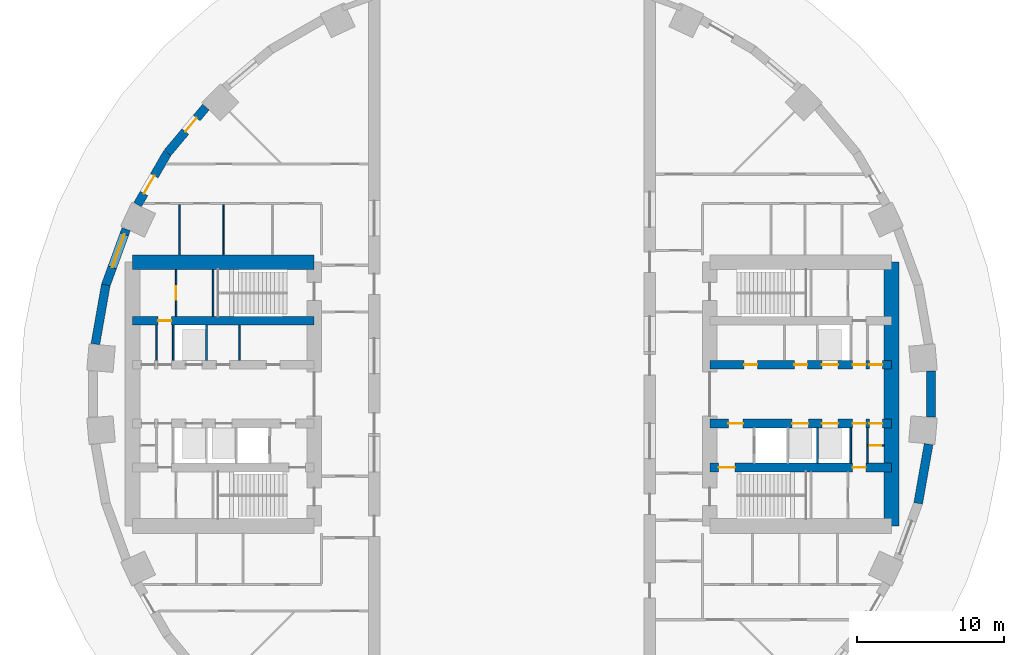
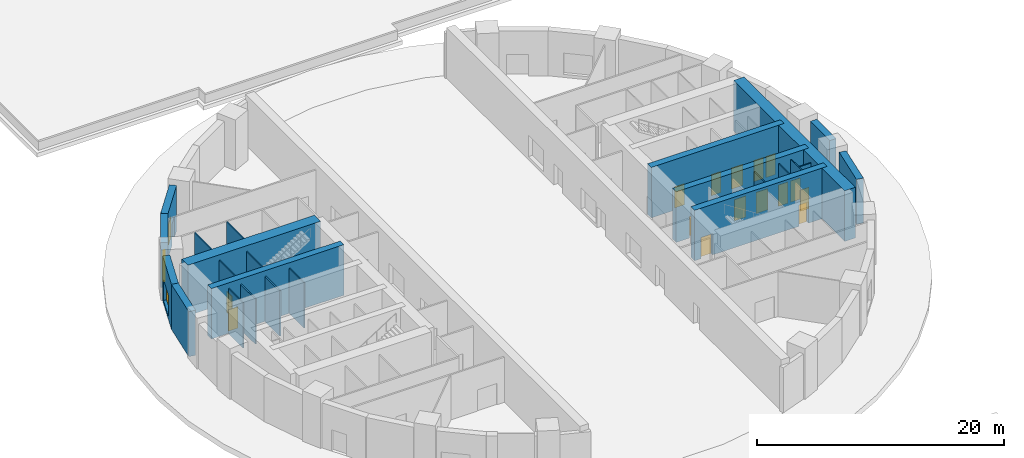
# One storey, part 5 of 10: 24 walls, 17 doors, 1 window, 18 openings.
"""IFC4 building model written with IfcOpenShell, lengths in metres."""

from ifc_helpers import new_model, si_unit, direction, frame, frame_2d, origin, place, context, subcontext, project, spatial, rectangle, extrude, material, layer, layer_set, type_object, element, fill, save


model = new_model("IFC4")

# Units and contexts
model_context = context("Model", 3, precision=1e-05, world=origin(), true_north=direction((0.0, 1.0)))
body_context = subcontext(model_context, "Body", "Model", "MODEL_VIEW")
ifc_project = project(units=[si_unit("LENGTHUNIT", "METRE"), si_unit("AREAUNIT", "SQUARE_METRE"), si_unit("VOLUMEUNIT", "CUBIC_METRE"), si_unit("PLANEANGLEUNIT", "RADIAN"), si_unit("MASSUNIT", "GRAM", prefix="KILO")], contexts=[model_context])

# Site, building, storey
site_placement = place(None, origin())
site = spatial("IfcSite", under=ifc_project, at=site_placement, CompositionType="ELEMENT")
building_placement = place(site_placement, origin())
building = spatial("IfcBuilding", under=site, at=building_placement, Name="Saqina Gate Tower", CompositionType="ELEMENT")
storey_placement = place(building_placement, origin())
storey = spatial("IfcBuildingStorey", under=building, at=storey_placement, Name="L00", CompositionType="ELEMENT", Elevation=0.0)

# Wall
ifc_material_1 = material(Name="Gypsum board on steel studs", Category="steel")
ifc_layer_1 = layer(ifc_material_1, 0.10009765625)
ifc_layer_set_1 = layer_set([ifc_layer_1], Name="CORE PARTITION")
wall_type_1 = type_object("IfcWallType", Name="CORE PARTITION", PredefinedType="PARTITIONING", material=ifc_layer_set_1)
wall_1_placement = place(storey_placement, frame((24.260009765625, -4.699951171875, 0.0), z_axis=(0.0, 0.0, 1.0), x_axis=(0.0, 1.0, 0.0)))
element("IfcWall", 1, at=wall_1_placement, inside=storey, type_object=wall_type_1, Name="L00-CP-E09", PredefinedType="PARTITIONING", context=body_context, shape_type="SweptSolid", body=[
    extrude(rectangle(XDim=2.39990234375, YDim=0.10009765625, at=frame_2d((1.199951171875, 0.0))), origin(), (0.0, 0.0, 1.0), 4.449951171875),
])

# Wall, opening, door
wall_2_placement = place(storey_placement, frame((24.260009765625, -3.5, 0.0), z_axis=(0.0, 0.0, 1.0), x_axis=(1.0, 0.0, 0.0)))
wall_2 = element("IfcWall", 2, at=wall_2_placement, inside=storey, type_object=wall_type_1, Name="L00-CP-E10", PredefinedType="PARTITIONING", context=body_context, shape_type="SweptSolid", body=[
    extrude(rectangle(XDim=1.139892578125, YDim=0.10009765625, at=frame_2d((0.56982421875, 0.0))), origin(), (0.0, 0.0, 1.0), 4.449951171875),
])
opening_1_placement = place(wall_2_placement, frame((0.14990234375, 0.0, 0.0)))
opening_1 = element("IfcOpeningElement", 3, at=opening_1_placement, cuts=wall_2, Name="Opening L00-D99", PredefinedType="OPENING", context=body_context, shape_type="SweptSolid", body=[
    extrude(rectangle(XDim=0.800048828125, YDim=2.10009765625, at=frame_2d((0.39990234375, 1.050048828125))), frame((0.0, 0.06201171875, 0.0), z_axis=(0.0, -1.0, 0.0), x_axis=(1.0, 0.0, 0.0)), (0.0, 0.0, 1.0), 0.1240234375),
])
ifc_material_2 = material(Name="Steel-framed fire door leaf, EI 60", Category="steel")
door_type_1 = type_object("IfcDoorType", Name="SERVICE ROOM DOOR 800", OperationType="SINGLE_SWING_LEFT", PredefinedType="DOOR", material=ifc_material_2)
door_1_placement = place(opening_1_placement, frame((0.800048828125, 0.0, 0.0), z_axis=(0.0, 0.0, 1.0), x_axis=(-1.0, 0.0, 0.0)))
door_1 = element("IfcDoor", 4, at=door_1_placement, inside=storey, type_object=door_type_1, Name="L00-CD-E10", OperationType="SINGLE_SWING_LEFT", OverallHeight=2.10009765625, OverallWidth=0.800048828125, PredefinedType="DOOR", context=body_context, shape_type="SweptSolid", body=[
    extrude(rectangle(XDim=0.800048828125, YDim=2.10009765625, at=frame_2d((0.39990234375, 1.050048828125))), frame((0.0, 0.02490234375, 0.0), z_axis=(0.0, -1.0, 0.0), x_axis=(1.0, 0.0, 0.0)), (0.0, 0.0, 1.0), 0.050048828125),
])
fill(opening_1, door_1)

# Walls
for number, where, z_axis, x_axis, name in (
    (5, (-18.582763671875, 2.300048828125, 0.0), (0.0, 0.0, 1.0), (0.0, 1.0, 0.0), "L00-CP-W01"),
    (6, (-24.260009765625, 2.300048828125, 0.0), (0.0, 0.0, 1.0), (0.0, 1.0, 0.0), "L00-CP-W04"),
):
    element("IfcWall", number, at=place(storey_placement, frame(where, z_axis=z_axis, x_axis=x_axis)), inside=storey, type_object=wall_type_1, Name=name, PredefinedType="PARTITIONING", context=body_context, shape_type="SweptSolid", body=[
        extrude(rectangle(XDim=2.39990234375, YDim=0.10009765625, at=frame_2d((1.199951171875, 0.0))), origin(), (0.0, 0.0, 1.0), 4.449951171875),
    ])

# Wall, opening, door
wall_3_placement = place(storey_placement, frame((-22.919921875, 5.300048828125, 0.0), z_axis=(0.0, 0.0, 1.0), x_axis=(0.0, 1.0, 0.0)))
wall_3 = element("IfcWall", 7, at=wall_3_placement, inside=storey, type_object=wall_type_1, Name="L00-CP-W12", PredefinedType="PARTITIONING", context=body_context, shape_type="SweptSolid", body=[
    extrude(rectangle(XDim=3.199951171875, YDim=0.10009765625, at=frame_2d((1.60009765625, 0.0))), origin(), (0.0, 0.0, 1.0), 4.449951171875),
])
opening_2_placement = place(wall_3_placement, frame((1.14990234375, 0.0, 0.0)))
opening_2 = element("IfcOpeningElement", 8, at=opening_2_placement, cuts=wall_3, Name="Opening L00-D113", PredefinedType="OPENING", context=body_context, shape_type="SweptSolid", body=[
    extrude(rectangle(XDim=0.89990234375, YDim=2.10009765625, at=frame_2d((0.449951171875, 1.050048828125))), frame((0.0, 0.06201171875, 0.0), z_axis=(0.0, -1.0, 0.0), x_axis=(1.0, 0.0, 0.0)), (0.0, 0.0, 1.0), 0.1240234375),
])
ifc_material_3 = material(Name="Steel-framed fire door leaf, EI 60", Category="steel")
door_type_2 = type_object("IfcDoorType", Name="SERVICE ROOM DOOR 900", OperationType="SINGLE_SWING_LEFT", PredefinedType="DOOR", material=ifc_material_3)
door_2_placement = place(opening_2_placement, frame((0.89990234375, 0.0, 0.0), z_axis=(0.0, 0.0, 1.0), x_axis=(-1.0, 0.0, 0.0)))
door_2 = element("IfcDoor", 9, at=door_2_placement, inside=storey, type_object=door_type_2, Name="L00-CD-W24", OperationType="SINGLE_SWING_RIGHT", OverallHeight=2.10009765625, OverallWidth=0.89990234375, PredefinedType="DOOR", context=body_context, shape_type="SweptSolid", body=[
    extrude(rectangle(XDim=0.89990234375, YDim=2.10009765625, at=frame_2d((0.449951171875, 1.050048828125))), frame((0.0, 0.02490234375, 0.0), z_axis=(0.0, -1.0, 0.0), x_axis=(1.0, 0.0, 0.0)), (0.0, 0.0, 1.0), 0.050048828125),
])
fill(opening_2, door_2)

ifc_material_4 = material(Name="Brick masonry (red)", Category="masonry")
ifc_layer_2 = layer(ifc_material_4, 0.60009765625)
ifc_layer_set_2 = layer_set([ifc_layer_2], Name="FW-BRICK-RED")
wall_type_2 = type_object("IfcWallType", Name="FW-BRICK-RED", PredefinedType="SOLIDWALL", material=ifc_layer_set_2)
wall_4_placement = place(storey_placement, frame((-20.890625, 19.5810546875, 0.0), z_axis=(0.0, 0.0, 1.0), x_axis=(-0.642800844336, -0.766033337734, 0.0)))
wall_4 = element("IfcWall", 10, at=wall_4_placement, inside=storey, type_object=wall_type_2, Name="Facade wall L00 facet 14", PredefinedType="SOLIDWALL", context=body_context, shape_type="SweptSolid", body=[
    extrude(rectangle(XDim=4.0693359375, YDim=0.60009765625, at=frame_2d((2.03466796875, 0.0))), origin(), (0.0, 0.0, 1.0), 4.449951171875),
])
opening_3_placement = place(wall_4_placement, frame((0.9716796875, 0.0, 0.0)))
opening_3 = element("IfcOpeningElement", 11, at=opening_3_placement, cuts=wall_4, Name="Opening L00-D45", PredefinedType="OPENING", context=body_context, shape_type="SweptSolid", body=[
    extrude(rectangle(XDim=1.199951171875, YDim=2.10009765625, at=frame_2d((0.60009765625, 1.050048828125))), frame((0.0, 0.31201171875, 0.0), z_axis=(0.0, -1.0, 0.0), x_axis=(1.0, 0.0, 0.0)), (0.0, 0.0, 1.0), 0.6240234375),
])
ifc_material_5 = material(Name="Aluminium-framed glazed door leaf", Category="aluminium")
door_type_3 = type_object("IfcDoorType", Name="ENTRANCE DOOR 1200 GLAZED", OperationType="SINGLE_SWING_LEFT", PredefinedType="DOOR", material=ifc_material_5)
door_3_placement = place(opening_3_placement, frame((1.199951171875, 0.0, 0.0), z_axis=(0.0, 0.0, 1.0), x_axis=(-1.0, 0.0, 0.0)))
door_3 = element("IfcDoor", 12, at=door_3_placement, inside=storey, type_object=door_type_3, Name="Shopfront entrance", OperationType="SINGLE_SWING_RIGHT", OverallHeight=2.10009765625, OverallWidth=1.199951171875, PredefinedType="DOOR", context=body_context, shape_type="SweptSolid", body=[
    extrude(rectangle(XDim=1.199951171875, YDim=2.10009765625, at=frame_2d((0.60009765625, 1.050048828125))), frame((0.0, 0.02490234375, 0.0), z_axis=(0.0, -1.0, 0.0), x_axis=(1.0, 0.0, 0.0)), (0.0, 0.0, 1.0), 0.050048828125),
])
fill(opening_3, door_3)

wall_5_placement = place(storey_placement, frame((-23.510498046875, 16.457763671875, 0.0), z_axis=(0.0, 0.0, 1.0), x_axis=(-0.500023678693, -0.866011732453, 0.0)))
wall_5 = element("IfcWall", 13, at=wall_5_placement, inside=storey, type_object=wall_type_2, Name="Facade wall L00 facet 15", PredefinedType="SOLIDWALL", context=body_context, shape_type="SweptSolid", body=[
    extrude(rectangle(XDim=4.069091796875, YDim=0.60009765625, at=frame_2d((2.03466796875, 0.0))), origin(), (0.0, 0.0, 1.0), 4.449951171875),
])
opening_4_placement = place(wall_5_placement, frame((1.797607421875, 0.0, 0.0)))
opening_4 = element("IfcOpeningElement", 14, at=opening_4_placement, cuts=wall_5, Name="Opening L00-D42", PredefinedType="OPENING", context=body_context, shape_type="SweptSolid", body=[
    extrude(rectangle(XDim=1.39990234375, YDim=2.10009765625, at=frame_2d((0.699951171875, 1.050048828125))), frame((0.0, 0.31201171875, 0.0), z_axis=(0.0, -1.0, 0.0), x_axis=(1.0, 0.0, 0.0)), (0.0, 0.0, 1.0), 0.6240234375),
])
ifc_material_6 = material(Name="Steel door leaf with glazed vision panel", Category="steel")
door_type_4 = type_object("IfcDoorType", Name="EXIT DOOR 1400 STEEL", OperationType="SINGLE_SWING_LEFT", PredefinedType="DOOR", material=ifc_material_6)
door_4_placement = place(opening_4_placement, frame((1.39990234375, 0.0, 0.0), z_axis=(0.0, 0.0, 1.0), x_axis=(-1.0, 0.0, 0.0)))
door_4 = element("IfcDoor", 15, at=door_4_placement, inside=storey, type_object=door_type_4, Name="Pedestrian exit 9", OperationType="SINGLE_SWING_LEFT", OverallHeight=2.10009765625, OverallWidth=1.39990234375, PredefinedType="DOOR", context=body_context, shape_type="SweptSolid", body=[
    extrude(rectangle(XDim=1.39990234375, YDim=2.10009765625, at=frame_2d((0.699951171875, 1.050048828125))), frame((0.0, 0.02490234375, 0.0), z_axis=(0.0, -1.0, 0.0), x_axis=(1.0, 0.0, 0.0)), (0.0, 0.0, 1.0), 0.050048828125),
])
fill(opening_4, door_4)

# Walls
ifc_material_7 = material(Name="Glazed ceramic tile", Category="ceramic")
ifc_layer_3 = layer(ifc_material_7, 0.60009765625)
ifc_layer_set_3 = layer_set([ifc_layer_3], Name="FW-TILE")
wall_type_3 = type_object("IfcWallType", Name="FW-TILE", PredefinedType="SOLIDWALL", material=ifc_layer_set_3)
for number, where, z_axis, x_axis, name in (
    (16, (-27.71630859375, 7.45361328125, 0.0), (0.0, 0.0, 1.0), (-0.173673210505, -0.984803338719, 0.0), "Facade wall L00 facet 17"),
    (17, (27.71630859375, -7.45361328125, 0.0), (0.0, 0.0, 1.0), (0.173673210505, 0.984803338719, 0.0), "Facade wall L00 facet 35"),
):
    element("IfcWall", number, at=place(storey_placement, frame(where, z_axis=z_axis, x_axis=x_axis)), inside=storey, type_object=wall_type_3, Name=name, PredefinedType="SOLIDWALL", context=body_context, shape_type="SweptSolid", body=[
        extrude(rectangle(XDim=4.09912109375, YDim=0.60009765625, at=frame_2d((2.049560546875, 0.0))), origin(), (0.0, 0.0, 1.0), 4.449951171875),
    ])

# Wall, opening, window
ifc_material_8 = material(Name="Glazed ceramic tile (white)", Category="ceramic")
ifc_layer_4 = layer(ifc_material_8, 0.60009765625)
ifc_layer_set_4 = layer_set([ifc_layer_4], Name="FW-TILE-WH")
wall_type_4 = type_object("IfcWallType", Name="FW-TILE-WH", PredefinedType="SOLIDWALL", material=ifc_layer_set_4)
wall_6_placement = place(storey_placement, frame((-26.327880859375, 11.255126953125, 0.0), z_axis=(0.0, 0.0, 1.0), x_axis=(-0.342034744565, -0.939687306241, 0.0)))
wall_6 = element("IfcWall", 18, at=wall_6_placement, inside=storey, type_object=wall_type_4, Name="Facade wall L00 facet 16", PredefinedType="SOLIDWALL", context=body_context, shape_type="SweptSolid", body=[
    extrude(rectangle(XDim=4.099365234375, YDim=0.60009765625, at=frame_2d((2.0498046875, 0.0))), origin(), (0.0, 0.0, 1.0), 4.449951171875),
])
opening_5_placement = place(wall_6_placement, frame((0.37158203125, 0.0, 0.300048828125)))
opening_5 = element("IfcOpeningElement", 19, at=opening_5_placement, cuts=wall_6, Name="Opening L00-W59", PredefinedType="OPENING", context=body_context, shape_type="SweptSolid", body=[
    extrude(rectangle(XDim=2.39990234375, YDim=2.10009765625, at=frame_2d((1.199951171875, 1.050048828125))), frame((0.0, 0.31201171875, 0.0), z_axis=(0.0, -1.0, 0.0), x_axis=(1.0, 0.0, 0.0)), (0.0, 0.0, 1.0), 0.6240234375),
])
ifc_material_9 = material(Name="Double glazed unit in aluminium frame", Category="aluminium")
window_type = type_object("IfcWindowType", Name="SHOPFRONT WINDOW 2400", PartitioningType="SINGLE_PANEL", PredefinedType="WINDOW", material=ifc_material_9)
window_placement = place(opening_5_placement, origin())
window = element("IfcWindow", 20, at=window_placement, inside=storey, type_object=window_type, Name="Shopfront window", OverallHeight=2.10009765625, OverallWidth=2.39990234375, PartitioningType="SINGLE_PANEL", PredefinedType="WINDOW", context=body_context, shape_type="SweptSolid", body=[
    extrude(rectangle(XDim=2.39990234375, YDim=2.10009765625, at=frame_2d((1.199951171875, 1.050048828125))), frame((0.0, 0.030029296875, 0.0), z_axis=(0.0, -1.0, 0.0), x_axis=(1.0, 0.0, 0.0)), (0.0, 0.0, 1.0), 0.06005859375),
])
fill(opening_5, window)

# Walls
wall_7_placement = place(storey_placement, frame((28.589599609375, -1.571533203125, 0.0), z_axis=(0.0, 0.0, 1.0), x_axis=(0.0, 1.0, 0.0)))
element("IfcWall", 21, at=wall_7_placement, inside=storey, type_object=wall_type_4, Name="Facade wall L00 facet 36", PredefinedType="SOLIDWALL", context=body_context, shape_type="SweptSolid", body=[
    extrude(rectangle(XDim=3.14306640625, YDim=0.60009765625, at=frame_2d((1.571533203125, 0.0))), origin(), (0.0, 0.0, 1.0), 4.449951171875),
])
ifc_material_10 = material(Name="Autoclaved aerated concrete block", Category="concrete")
ifc_layer_5 = layer(ifc_material_10, 0.1201171875)
ifc_layer_set_5 = layer_set([ifc_layer_5], Name="SHAFT PARTITION")
wall_type_5 = type_object("IfcWallType", Name="SHAFT PARTITION", PredefinedType="PARTITIONING", material=ifc_layer_set_5)
for number, where, z_axis, x_axis, name in (
    (22, (20.840087890625, -4.699951171875, 0.0), (0.0, 0.0, 1.0), (0.0, 1.0, 0.0), "L00-CP-E07"),
    (23, (23.1201171875, -4.699951171875, 0.0), (0.0, 0.0, 1.0), (0.0, 1.0, 0.0), "L00-CP-E08"),
    (24, (-20.840087890625, 2.300048828125, 0.0), (0.0, 0.0, 1.0), (0.0, 1.0, 0.0), "L00-CP-W02"),
    (25, (-23.1201171875, 2.300048828125, 0.0), (0.0, 0.0, 1.0), (0.0, 1.0, 0.0), "L00-CP-W03"),
):
    element("IfcWall", number, at=place(storey_placement, frame(where, z_axis=z_axis, x_axis=x_axis)), inside=storey, type_object=wall_type_5, Name=name, PredefinedType="PARTITIONING", context=body_context, shape_type="SweptSolid", body=[
        extrude(rectangle(XDim=2.39990234375, YDim=0.1201171875, at=frame_2d((1.199951171875, 0.0))), origin(), (0.0, 0.0, 1.0), 4.449951171875),
    ])
ifc_material_11 = material(Name="Gypsum board on steel studs, 100 mm", Category="steel")
ifc_layer_6 = layer(ifc_material_11, 0.10009765625)
ifc_layer_set_6 = layer_set([ifc_layer_6], Name="SPECIAL PARTITION 100")
wall_type_6 = type_object("IfcWallType", Name="SPECIAL PARTITION 100", PredefinedType="PARTITIONING", material=ifc_layer_set_6)
for number, where, z_axis, x_axis, name in (
    (26, (-19.68505859375, 9.5, 0.0), (0.0, 0.0, 1.0), (0.0, 1.0, 0.0), "PARTITION 034"),
    (27, (-22.693115234375, 9.5, 0.0), (0.0, 0.0, 1.0), (0.0, 1.0, 0.0), "PARTITION 036"),
):
    element("IfcWall", number, at=place(storey_placement, frame(where, z_axis=z_axis, x_axis=x_axis)), inside=storey, type_object=wall_type_6, Name=name, PredefinedType="PARTITIONING", context=body_context, shape_type="SweptSolid", body=[
        extrude(rectangle(XDim=3.425048828125, YDim=0.10009765625, at=frame_2d((1.71240234375, 0.0))), origin(), (0.0, 0.0, 1.0), 4.449951171875),
    ])
ifc_material_12 = material(Name="Autoclaved aerated concrete block", Category="concrete")
ifc_layer_7 = layer(ifc_material_12, 0.10009765625)
ifc_layer_set_7 = layer_set([ifc_layer_7], Name="STAIR ENCLOSURE WALL")
wall_type_7 = type_object("IfcWallType", Name="STAIR ENCLOSURE WALL", PredefinedType="PARTITIONING", material=ifc_layer_set_7)
wall_8_placement = place(storey_placement, frame((-20.389892578125, 5.300048828125, 0.0), z_axis=(0.0, 0.0, 1.0), x_axis=(0.0, 1.0, 0.0)))
element("IfcWall", 28, at=wall_8_placement, inside=storey, type_object=wall_type_7, Name="L00-CP-W11", PredefinedType="PARTITIONING", context=body_context, shape_type="SweptSolid", body=[
    extrude(rectangle(XDim=3.199951171875, YDim=0.10009765625, at=frame_2d((1.60009765625, 0.0))), origin(), (0.0, 0.0, 1.0), 4.449951171875),
])

# Wall, openings, doors
ifc_material_13 = material(Name="Concrete C70/85", Category="concrete")
ifc_layer_8 = layer(ifc_material_13, 0.60009765625)
ifc_layer_set_8 = layer_set([ifc_layer_8], Name="Concrete C70/85")
wall_type_8 = type_object("IfcWallType", Name="STR-CORE WALL-P-I", PredefinedType="SHEAR", material=ifc_layer_set_8)
wall_9_placement = place(storey_placement, frame((13.5, -5.0, 0.0), z_axis=(0.0, 0.0, 1.0), x_axis=(1.0, 0.0, 0.0)))
wall_9 = element("IfcWall", 29, at=wall_9_placement, inside=storey, type_object=wall_type_8, Name="CORE WALL L00 E-X2", PredefinedType="SHEAR", context=body_context, shape_type="SweptSolid", body=[
    extrude(rectangle(XDim=12.39990234375, YDim=0.60009765625, at=frame_2d((6.199951171875, 0.0))), origin(), (0.0, 0.0, 1.0), 5.0),
])
opening_6_placement = place(wall_9_placement, frame((9.739990234375, 0.0, 0.0)))
opening_6 = element("IfcOpeningElement", 30, at=opening_6_placement, cuts=wall_9, Name="Opening L00-D101", PredefinedType="OPENING", context=body_context, shape_type="SweptSolid", body=[
    extrude(rectangle(XDim=0.89990234375, YDim=2.10009765625, at=frame_2d((0.449951171875, 1.050048828125))), frame((0.0, 0.31201171875, 0.0), z_axis=(0.0, -1.0, 0.0), x_axis=(1.0, 0.0, 0.0)), (0.0, 0.0, 1.0), 0.6240234375),
])
opening_7_placement = place(wall_9_placement, frame((0.60009765625, 0.0, 0.0)))
opening_7 = element("IfcOpeningElement", 31, at=opening_7_placement, cuts=wall_9, Name="Opening L00-D102", PredefinedType="OPENING", context=body_context, shape_type="SweptSolid", body=[
    extrude(rectangle(XDim=1.10009765625, YDim=2.10009765625, at=frame_2d((0.550048828125, 1.050048828125))), frame((0.0, 0.31201171875, 0.0), z_axis=(0.0, -1.0, 0.0), x_axis=(1.0, 0.0, 0.0)), (0.0, 0.0, 1.0), 0.6240234375),
])
ifc_material_14 = material(Name="Steel", Category="steel")
door_type_5 = type_object("IfcDoorType", Name="FIRE LOBBY DOOR EI 60 WIDE", OperationType="SINGLE_SWING_LEFT", PredefinedType="DOOR", material=ifc_material_14)
door_5_placement = place(opening_7_placement, frame((1.10009765625, 0.0, 0.0), z_axis=(0.0, 0.0, 1.0), x_axis=(-1.0, 0.0, 0.0)))
door_5 = element("IfcDoor", 32, at=door_5_placement, inside=storey, type_object=door_type_5, Name="L00-CD-E13", OperationType="SINGLE_SWING_RIGHT", OverallHeight=2.10009765625, OverallWidth=1.10009765625, PredefinedType="DOOR", context=body_context, shape_type="SweptSolid", body=[
    extrude(rectangle(XDim=1.10009765625, YDim=2.10009765625, at=frame_2d((0.550048828125, 1.050048828125))), frame((0.0, 0.02490234375, 0.0), z_axis=(0.0, -1.0, 0.0), x_axis=(1.0, 0.0, 0.0)), (0.0, 0.0, 1.0), 0.050048828125),
])
fill(opening_7, door_5)
door_6_placement = place(opening_6_placement, frame((0.89990234375, 0.0, 0.0), z_axis=(0.0, 0.0, 1.0), x_axis=(-1.0, 0.0, 0.0)))
door_6 = element("IfcDoor", 33, at=door_6_placement, inside=storey, type_object=door_type_2, Name="L00-CD-E12", OperationType="SINGLE_SWING_RIGHT", OverallHeight=2.10009765625, OverallWidth=0.89990234375, PredefinedType="DOOR", context=body_context, shape_type="SweptSolid", body=[
    extrude(rectangle(XDim=0.89990234375, YDim=2.10009765625, at=frame_2d((0.449951171875, 1.050048828125))), frame((0.0, 0.02490234375, 0.0), z_axis=(0.0, -1.0, 0.0), x_axis=(1.0, 0.0, 0.0)), (0.0, 0.0, 1.0), 0.050048828125),
])
fill(opening_6, door_6)

wall_10_placement = place(storey_placement, frame((13.5, 2.0, 0.0), z_axis=(0.0, 0.0, 1.0), x_axis=(1.0, 0.0, 0.0)))
wall_10 = element("IfcWall", 34, at=wall_10_placement, inside=storey, type_object=wall_type_8, Name="CORE WALL L00 E-L1", PredefinedType="SHEAR", context=body_context, shape_type="SweptSolid", body=[
    extrude(rectangle(XDim=12.39990234375, YDim=0.60009765625, at=frame_2d((6.199951171875, 0.0))), origin(), (0.0, 0.0, 1.0), 5.0),
])
opening_8_placement = place(wall_10_placement, frame((7.64990234375, 0.0, 0.0)))
opening_8 = element("IfcOpeningElement", 35, at=opening_8_placement, cuts=wall_10, Name="Opening L00-LD1", PredefinedType="OPENING", context=body_context, shape_type="SweptSolid", body=[
    extrude(rectangle(XDim=1.10009765625, YDim=2.10009765625, at=frame_2d((0.550048828125, 1.050048828125))), frame((0.0, 0.31201171875, 0.0), z_axis=(0.0, -1.0, 0.0), x_axis=(1.0, 0.0, 0.0)), (0.0, 0.0, 1.0), 0.6240234375),
])
opening_9_placement = place(wall_10_placement, frame((2.34130859375, 0.0, 0.0)))
opening_9 = element("IfcOpeningElement", 36, at=opening_9_placement, cuts=wall_10, Name="Opening L00-D90", PredefinedType="OPENING", context=body_context, shape_type="SweptSolid", body=[
    extrude(rectangle(XDim=0.89990234375, YDim=2.10009765625, at=frame_2d((0.449951171875, 1.050048828125))), frame((0.0, 0.31201171875, 0.0), z_axis=(0.0, -1.0, 0.0), x_axis=(1.0, 0.0, 0.0)), (0.0, 0.0, 1.0), 0.6240234375),
])
opening_10_placement = place(wall_10_placement, frame((5.761474609375, 0.0, 0.0)))
opening_10 = element("IfcOpeningElement", 37, at=opening_10_placement, cuts=wall_10, Name="Opening L00-D91", PredefinedType="OPENING", context=body_context, shape_type="SweptSolid", body=[
    extrude(rectangle(XDim=0.89990234375, YDim=2.10009765625, at=frame_2d((0.449951171875, 1.050048828125))), frame((0.0, 0.31201171875, 0.0), z_axis=(0.0, -1.0, 0.0), x_axis=(1.0, 0.0, 0.0)), (0.0, 0.0, 1.0), 0.6240234375),
])
opening_11_placement = place(wall_10_placement, frame((9.739990234375, 0.0, 0.0)))
opening_11 = element("IfcOpeningElement", 38, at=opening_11_placement, cuts=wall_10, Name="Opening L00-D92", PredefinedType="OPENING", context=body_context, shape_type="SweptSolid", body=[
    extrude(rectangle(XDim=0.89990234375, YDim=2.10009765625, at=frame_2d((0.449951171875, 1.050048828125))), frame((0.0, 0.31201171875, 0.0), z_axis=(0.0, -1.0, 0.0), x_axis=(1.0, 0.0, 0.0)), (0.0, 0.0, 1.0), 0.6240234375),
])
opening_12_placement = place(wall_10_placement, frame((10.8798828125, 0.0, 0.0)))
opening_12 = element("IfcOpeningElement", 39, at=opening_12_placement, cuts=wall_10, Name="Opening L00-D93", PredefinedType="OPENING", context=body_context, shape_type="SweptSolid", body=[
    extrude(rectangle(XDim=0.89990234375, YDim=2.10009765625, at=frame_2d((0.449951171875, 1.050048828125))), frame((0.0, 0.31201171875, 0.0), z_axis=(0.0, -1.0, 0.0), x_axis=(1.0, 0.0, 0.0)), (0.0, 0.0, 1.0), 0.6240234375),
])
ifc_material_15 = material(Name="Stainless steel", Category="steel")
door_type_6 = type_object("IfcDoorType", Name="LANDING DOOR", OperationType="DOUBLE_DOOR_SLIDING", PredefinedType="DOOR", material=ifc_material_15)
door_7_placement = place(opening_8_placement, origin())
door_7 = element("IfcDoor", 40, at=door_7_placement, inside=storey, type_object=door_type_6, Name="LANDING DOOR LR1", OperationType="DOUBLE_DOOR_SLIDING", OverallHeight=2.10009765625, OverallWidth=1.10009765625, PredefinedType="DOOR", context=body_context, shape_type="SweptSolid", body=[
    extrude(rectangle(XDim=1.10009765625, YDim=2.10009765625, at=frame_2d((0.550048828125, 1.050048828125))), frame((0.0, 0.02490234375, 0.0), z_axis=(0.0, -1.0, 0.0), x_axis=(1.0, 0.0, 0.0)), (0.0, 0.0, 1.0), 0.050048828125),
])
fill(opening_8, door_7)
door_8_placement = place(opening_9_placement, origin())
door_8 = element("IfcDoor", 41, at=door_8_placement, inside=storey, type_object=door_type_2, Name="L00-CD-E01", OperationType="SINGLE_SWING_LEFT", OverallHeight=2.10009765625, OverallWidth=0.89990234375, PredefinedType="DOOR", context=body_context, shape_type="SweptSolid", body=[
    extrude(rectangle(XDim=0.89990234375, YDim=2.10009765625, at=frame_2d((0.449951171875, 1.050048828125))), frame((0.0, 0.02490234375, 0.0), z_axis=(0.0, -1.0, 0.0), x_axis=(1.0, 0.0, 0.0)), (0.0, 0.0, 1.0), 0.050048828125),
])
fill(opening_9, door_8)
door_9_placement = place(opening_10_placement, origin())
door_9 = element("IfcDoor", 42, at=door_9_placement, inside=storey, type_object=door_type_2, Name="L00-CD-E02", OperationType="SINGLE_SWING_RIGHT", OverallHeight=2.10009765625, OverallWidth=0.89990234375, PredefinedType="DOOR", context=body_context, shape_type="SweptSolid", body=[
    extrude(rectangle(XDim=0.89990234375, YDim=2.10009765625, at=frame_2d((0.449951171875, 1.050048828125))), frame((0.0, 0.02490234375, 0.0), z_axis=(0.0, -1.0, 0.0), x_axis=(1.0, 0.0, 0.0)), (0.0, 0.0, 1.0), 0.050048828125),
])
fill(opening_10, door_9)
door_10_placement = place(opening_11_placement, origin())
door_10 = element("IfcDoor", 43, at=door_10_placement, inside=storey, type_object=door_type_2, Name="L00-CD-E03", OperationType="SINGLE_SWING_LEFT", OverallHeight=2.10009765625, OverallWidth=0.89990234375, PredefinedType="DOOR", context=body_context, shape_type="SweptSolid", body=[
    extrude(rectangle(XDim=0.89990234375, YDim=2.10009765625, at=frame_2d((0.449951171875, 1.050048828125))), frame((0.0, 0.02490234375, 0.0), z_axis=(0.0, -1.0, 0.0), x_axis=(1.0, 0.0, 0.0)), (0.0, 0.0, 1.0), 0.050048828125),
])
fill(opening_11, door_10)
door_11_placement = place(opening_12_placement, origin())
door_11 = element("IfcDoor", 44, at=door_11_placement, inside=storey, type_object=door_type_2, Name="L00-CD-E04", OperationType="SINGLE_SWING_RIGHT", OverallHeight=2.10009765625, OverallWidth=0.89990234375, PredefinedType="DOOR", context=body_context, shape_type="SweptSolid", body=[
    extrude(rectangle(XDim=0.89990234375, YDim=2.10009765625, at=frame_2d((0.449951171875, 1.050048828125))), frame((0.0, 0.02490234375, 0.0), z_axis=(0.0, -1.0, 0.0), x_axis=(1.0, 0.0, 0.0)), (0.0, 0.0, 1.0), 0.050048828125),
])
fill(opening_12, door_11)

wall_11_placement = place(storey_placement, frame((13.5, -2.0, 0.0), z_axis=(0.0, 0.0, 1.0), x_axis=(1.0, 0.0, 0.0)))
wall_11 = element("IfcWall", 45, at=wall_11_placement, inside=storey, type_object=wall_type_8, Name="CORE WALL L00 E-L2", PredefinedType="SHEAR", context=body_context, shape_type="SweptSolid", body=[
    extrude(rectangle(XDim=12.39990234375, YDim=0.60009765625, at=frame_2d((6.199951171875, 0.0))), origin(), (0.0, 0.0, 1.0), 5.0),
])
opening_13_placement = place(wall_11_placement, frame((5.6201171875, 0.0, 0.0)))
opening_13 = element("IfcOpeningElement", 46, at=opening_13_placement, cuts=wall_11, Name="Opening L00-LD3", PredefinedType="OPENING", context=body_context, shape_type="SweptSolid", body=[
    extrude(rectangle(XDim=1.10009765625, YDim=2.10009765625, at=frame_2d((0.550048828125, 1.050048828125))), frame((0.0, 0.31201171875, 0.0), z_axis=(0.0, -1.0, 0.0), x_axis=(1.0, 0.0, 0.0)), (0.0, 0.0, 1.0), 0.6240234375),
])
opening_14_placement = place(wall_11_placement, frame((7.64990234375, 0.0, 0.0)))
opening_14 = element("IfcOpeningElement", 47, at=opening_14_placement, cuts=wall_11, Name="Opening L00-LD4", PredefinedType="OPENING", context=body_context, shape_type="SweptSolid", body=[
    extrude(rectangle(XDim=1.10009765625, YDim=2.10009765625, at=frame_2d((0.550048828125, 1.050048828125))), frame((0.0, 0.31201171875, 0.0), z_axis=(0.0, -1.0, 0.0), x_axis=(1.0, 0.0, 0.0)), (0.0, 0.0, 1.0), 0.6240234375),
])
opening_15_placement = place(wall_11_placement, frame((1.264892578125, 0.0, 0.0)))
opening_15 = element("IfcOpeningElement", 48, at=opening_15_placement, cuts=wall_11, Name="Opening L00-D94", PredefinedType="OPENING", context=body_context, shape_type="SweptSolid", body=[
    extrude(rectangle(XDim=1.0, YDim=2.10009765625, at=frame_2d((0.5, 1.050048828125))), frame((0.0, 0.31201171875, 0.0), z_axis=(0.0, -1.0, 0.0), x_axis=(1.0, 0.0, 0.0)), (0.0, 0.0, 1.0), 0.6240234375),
])
opening_16_placement = place(wall_11_placement, frame((9.739990234375, 0.0, 0.0)))
opening_16 = element("IfcOpeningElement", 49, at=opening_16_placement, cuts=wall_11, Name="Opening L00-D95", PredefinedType="OPENING", context=body_context, shape_type="SweptSolid", body=[
    extrude(rectangle(XDim=0.89990234375, YDim=2.10009765625, at=frame_2d((0.449951171875, 1.050048828125))), frame((0.0, 0.31201171875, 0.0), z_axis=(0.0, -1.0, 0.0), x_axis=(1.0, 0.0, 0.0)), (0.0, 0.0, 1.0), 0.6240234375),
])
opening_17_placement = place(wall_11_placement, frame((10.8798828125, 0.0, 0.0)))
opening_17 = element("IfcOpeningElement", 50, at=opening_17_placement, cuts=wall_11, Name="Opening L00-D96", PredefinedType="OPENING", context=body_context, shape_type="SweptSolid", body=[
    extrude(rectangle(XDim=0.89990234375, YDim=2.10009765625, at=frame_2d((0.449951171875, 1.050048828125))), frame((0.0, 0.31201171875, 0.0), z_axis=(0.0, -1.0, 0.0), x_axis=(1.0, 0.0, 0.0)), (0.0, 0.0, 1.0), 0.6240234375),
])
ifc_material_16 = material(Name="Steel", Category="steel")
door_type_7 = type_object("IfcDoorType", Name="FIRE LOBBY DOOR EI 60", OperationType="SINGLE_SWING_LEFT", PredefinedType="DOOR", material=ifc_material_16)
door_12_placement = place(opening_15_placement, origin())
door_12 = element("IfcDoor", 51, at=door_12_placement, inside=storey, type_object=door_type_7, Name="L00-CD-E05", OperationType="SINGLE_SWING_LEFT", OverallHeight=2.10009765625, OverallWidth=1.0, PredefinedType="DOOR", context=body_context, shape_type="SweptSolid", body=[
    extrude(rectangle(XDim=1.0, YDim=2.10009765625, at=frame_2d((0.5, 1.050048828125))), frame((0.0, 0.02490234375, 0.0), z_axis=(0.0, -1.0, 0.0), x_axis=(1.0, 0.0, 0.0)), (0.0, 0.0, 1.0), 0.050048828125),
])
fill(opening_15, door_12)
door_13_placement = place(opening_13_placement, origin())
door_13 = element("IfcDoor", 52, at=door_13_placement, inside=storey, type_object=door_type_6, Name="LANDING DOOR LR3", OperationType="DOUBLE_DOOR_SLIDING", OverallHeight=2.10009765625, OverallWidth=1.10009765625, PredefinedType="DOOR", context=body_context, shape_type="SweptSolid", body=[
    extrude(rectangle(XDim=1.10009765625, YDim=2.10009765625, at=frame_2d((0.550048828125, 1.050048828125))), frame((0.0, 0.02490234375, 0.0), z_axis=(0.0, -1.0, 0.0), x_axis=(1.0, 0.0, 0.0)), (0.0, 0.0, 1.0), 0.050048828125),
])
fill(opening_13, door_13)
door_14_placement = place(opening_14_placement, origin())
door_14 = element("IfcDoor", 53, at=door_14_placement, inside=storey, type_object=door_type_6, Name="LANDING DOOR LR2", OperationType="DOUBLE_DOOR_SLIDING", OverallHeight=2.10009765625, OverallWidth=1.10009765625, PredefinedType="DOOR", context=body_context, shape_type="SweptSolid", body=[
    extrude(rectangle(XDim=1.10009765625, YDim=2.10009765625, at=frame_2d((0.550048828125, 1.050048828125))), frame((0.0, 0.02490234375, 0.0), z_axis=(0.0, -1.0, 0.0), x_axis=(1.0, 0.0, 0.0)), (0.0, 0.0, 1.0), 0.050048828125),
])
fill(opening_14, door_14)
door_15_placement = place(opening_16_placement, frame((0.89990234375, 0.0, 0.0), z_axis=(0.0, 0.0, 1.0), x_axis=(-1.0, 0.0, 0.0)))
door_15 = element("IfcDoor", 54, at=door_15_placement, inside=storey, type_object=door_type_2, Name="L00-CD-E06", OperationType="SINGLE_SWING_RIGHT", OverallHeight=2.10009765625, OverallWidth=0.89990234375, PredefinedType="DOOR", context=body_context, shape_type="SweptSolid", body=[
    extrude(rectangle(XDim=0.89990234375, YDim=2.10009765625, at=frame_2d((0.449951171875, 1.050048828125))), frame((0.0, 0.02490234375, 0.0), z_axis=(0.0, -1.0, 0.0), x_axis=(1.0, 0.0, 0.0)), (0.0, 0.0, 1.0), 0.050048828125),
])
fill(opening_16, door_15)
door_16_placement = place(opening_17_placement, frame((0.89990234375, 0.0, 0.0), z_axis=(0.0, 0.0, 1.0), x_axis=(-1.0, 0.0, 0.0)))
door_16 = element("IfcDoor", 55, at=door_16_placement, inside=storey, type_object=door_type_2, Name="L00-CD-E07", OperationType="SINGLE_SWING_LEFT", OverallHeight=2.10009765625, OverallWidth=0.89990234375, PredefinedType="DOOR", context=body_context, shape_type="SweptSolid", body=[
    extrude(rectangle(XDim=0.89990234375, YDim=2.10009765625, at=frame_2d((0.449951171875, 1.050048828125))), frame((0.0, 0.02490234375, 0.0), z_axis=(0.0, -1.0, 0.0), x_axis=(1.0, 0.0, 0.0)), (0.0, 0.0, 1.0), 0.050048828125),
])
fill(opening_17, door_16)

# Wall, opening, door
wall_12_placement = place(storey_placement, frame((-13.5, 5.0, 0.0), z_axis=(0.0, 0.0, 1.0), x_axis=(-1.0, 0.0, 0.0)))
wall_12 = element("IfcWall", 56, at=wall_12_placement, inside=storey, type_object=wall_type_8, Name="CORE WALL L00 W-X1", PredefinedType="SHEAR", context=body_context, shape_type="SweptSolid", body=[
    extrude(rectangle(XDim=12.39990234375, YDim=0.60009765625, at=frame_2d((6.199951171875, 0.0))), origin(), (0.0, 0.0, 1.0), 5.0),
])
opening_18_placement = place(wall_12_placement, frame((9.739990234375, 0.0, 0.0)))
opening_18 = element("IfcOpeningElement", 57, at=opening_18_placement, cuts=wall_12, Name="Opening L00-D114", PredefinedType="OPENING", context=body_context, shape_type="SweptSolid", body=[
    extrude(rectangle(XDim=0.89990234375, YDim=2.10009765625, at=frame_2d((0.449951171875, 1.050048828125))), frame((0.0, 0.31201171875, 0.0), z_axis=(0.0, -1.0, 0.0), x_axis=(1.0, 0.0, 0.0)), (0.0, 0.0, 1.0), 0.6240234375),
])
door_17_placement = place(opening_18_placement, frame((0.89990234375, 0.0, 0.0), z_axis=(0.0, 0.0, 1.0), x_axis=(-1.0, 0.0, 0.0)))
door_17 = element("IfcDoor", 58, at=door_17_placement, inside=storey, type_object=door_type_2, Name="L00-CD-W25", OperationType="SINGLE_SWING_RIGHT", OverallHeight=2.10009765625, OverallWidth=0.89990234375, PredefinedType="DOOR", context=body_context, shape_type="SweptSolid", body=[
    extrude(rectangle(XDim=0.89990234375, YDim=2.10009765625, at=frame_2d((0.449951171875, 1.050048828125))), frame((0.0, 0.02490234375, 0.0), z_axis=(0.0, -1.0, 0.0), x_axis=(1.0, 0.0, 0.0)), (0.0, 0.0, 1.0), 0.050048828125),
])
fill(opening_18, door_17)

# Walls
ifc_material_17 = material(Name="Concrete C70/85", Category="concrete")
ifc_layer_9 = layer(ifc_material_17, 1.0)
ifc_layer_set_9 = layer_set([ifc_layer_9], Name="Concrete C70/85")
wall_type_9 = type_object("IfcWallType", Name="STR-CORE WALL-P-O", PredefinedType="SHEAR", material=ifc_layer_set_9)
wall_13_placement = place(storey_placement, frame((25.89990234375, -9.0, 0.0), z_axis=(0.0, 0.0, 1.0), x_axis=(0.0, 1.0, 0.0)))
element("IfcWall", 59, at=wall_13_placement, inside=storey, type_object=wall_type_9, Name="CORE WALL L00 E-W2", PredefinedType="SHEAR", context=body_context, shape_type="SweptSolid", body=[
    extrude(rectangle(XDim=18.0, YDim=1.0, at=frame_2d((9.0, 0.0))), origin(), (0.0, 0.0, 1.0), 5.0),
])
wall_14_placement = place(storey_placement, frame((-13.5, 9.0, 0.0), z_axis=(0.0, 0.0, 1.0), x_axis=(-1.0, 0.0, 0.0)))
element("IfcWall", 60, at=wall_14_placement, inside=storey, type_object=wall_type_9, Name="CORE WALL L00 W-NE", PredefinedType="SHEAR", context=body_context, shape_type="SweptSolid", body=[
    extrude(rectangle(XDim=12.39990234375, YDim=1.0, at=frame_2d((6.199951171875, 0.0))), origin(), (0.0, 0.0, 1.0), 5.0),
])

save(model, "model.ifc")
